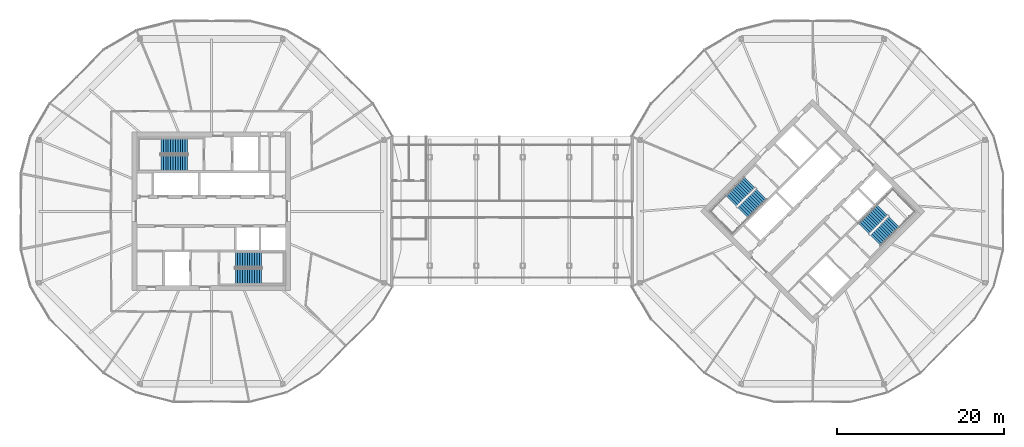
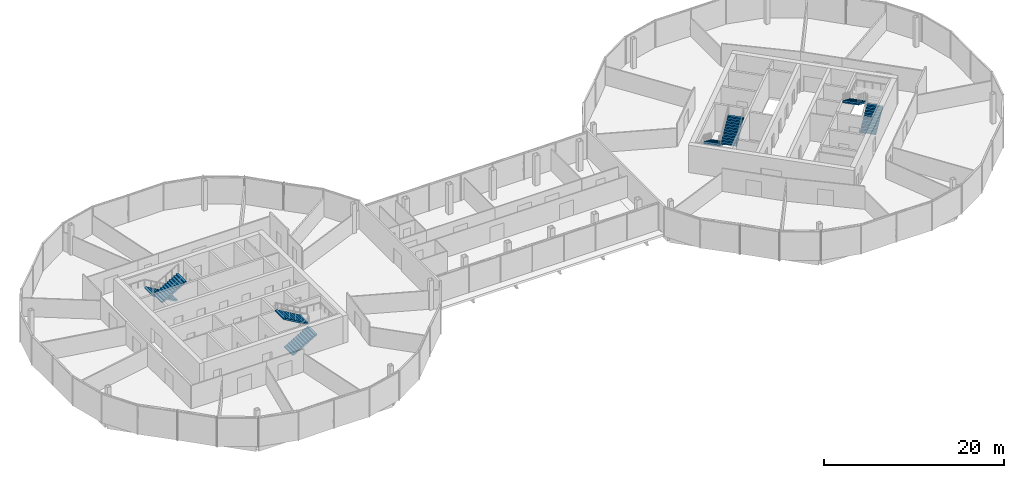
# One storey, part 24 of 25: 8 stair flights, 4 elements without a shape of their own.
"""IFC4 building model written with IfcOpenShell, lengths in metres."""

from ifc_helpers import new_model, si_unit, direction, frame, origin, place, context, subcontext, project, spatial, polyline, outline, extrude, material, type_object, element, aggregate, save


model = new_model("IFC4")

# Units and contexts
model_context = context("Model", 3, precision=1e-05, world=origin(), true_north=direction((0.0, 1.0)))
body_context = subcontext(model_context, "Body", "Model", "MODEL_VIEW")
ifc_project = project(units=[si_unit("LENGTHUNIT", "METRE"), si_unit("AREAUNIT", "SQUARE_METRE"), si_unit("VOLUMEUNIT", "CUBIC_METRE"), si_unit("PLANEANGLEUNIT", "RADIAN"), si_unit("MASSUNIT", "GRAM", prefix="KILO")], contexts=[model_context])

# Site, building, storey
site_placement = place(None, origin())
site = spatial("IfcSite", under=ifc_project, at=site_placement, CompositionType="ELEMENT")
building_placement = place(site_placement, origin())
building = spatial("IfcBuilding", under=site, at=building_placement, Name="Ogive Gate Towers", CompositionType="ELEMENT")
storey_placement = place(building_placement, frame((0.0, 0.0, 140.800048828125)))
storey = spatial("IfcBuildingStorey", under=building, at=storey_placement, Name="L33", CompositionType="ELEMENT", Elevation=140.800048828125)

# Stair, stair flights
ifc_material = material(Name="Concrete C40/50", Category="concrete")
stair_type = type_object("IfcStairType", Name="Escape stair 1840 wide", PredefinedType="HALF_TURN_STAIR", material=ifc_material)
stair_1_placement = place(storey_placement, origin())
stair_1 = element("IfcStair", 1, at=stair_1_placement, inside=storey, type_object=stair_type, Name="L33 Escape stair 1", PredefinedType="HALF_TURN_STAIR")
stair_flight_type = type_object("IfcStairFlightType", Name="Stair flight 1840 wide", PredefinedType="STRAIGHT", material=ifc_material)
stair_flight_1_placement = place(storey_placement, frame((-38.864990234375, 7.780029296875, 0.0), z_axis=(0.0, 0.0, 1.0), x_axis=(-1.0, 0.0, 0.0)))
stair_flight_1 = element("IfcStairFlight", 2, at=stair_flight_1_placement, type_object=stair_flight_type, Name="ST1 flight 1", NumberOfRisers=12, NumberOfTreads=11, PredefinedType="STRAIGHT", RiserHeight=0.166666667, TreadLength=0.2875, context=body_context, shape_type="SweptSolid", body=[
    extrude(outline(polyline([(0.0, 0.0), (0.0, 0.166748046875), (0.28759765625, 0.166748046875), (0.28759765625, 0.333251953125), (0.574951171875, 0.333251953125), (0.574951171875, 0.5), (0.862548828125, 0.5), (0.862548828125, 0.666748046875), (1.14990234375, 0.666748046875), (1.14990234375, 0.833251953125), (1.4375, 0.833251953125), (1.4375, 1.0), (1.72509765625, 1.0), (1.72509765625, 1.166748046875), (2.012451171875, 1.166748046875), (2.012451171875, 1.333251953125), (2.300048828125, 1.333251953125), (2.300048828125, 1.5), (2.58740234375, 1.5), (2.58740234375, 1.666748046875), (2.875, 1.666748046875), (2.875, 1.833251953125), (3.16259765625, 1.833251953125), (3.16259765625, 2.0), (3.16259765625, 1.66015625), (0.298828125, 0.0), (0.0, 0.0)])), frame((0.0, 0.919921875, 0.0), z_axis=(0.0, -1.0, 0.0), x_axis=(1.0, 0.0, 0.0)), (0.0, 0.0, 1.0), 1.840087890625),
])
stair_flight_2_placement = place(storey_placement, frame((-42.027587890625, 5.794921875, 2.0), z_axis=(0.0, 0.0, 1.0), x_axis=(1.0, 0.0, 0.0)))
stair_flight_2 = element("IfcStairFlight", 3, at=stair_flight_2_placement, type_object=stair_flight_type, Name="ST1 flight 2", NumberOfRisers=12, NumberOfTreads=11, PredefinedType="STRAIGHT", RiserHeight=0.166666667, TreadLength=0.2875, context=body_context, shape_type="SweptSolid", body=[
    extrude(outline(polyline([(0.0, 0.0), (0.0, 0.166748046875), (0.28759765625, 0.166748046875), (0.28759765625, 0.333251953125), (0.574951171875, 0.333251953125), (0.574951171875, 0.5), (0.862548828125, 0.5), (0.862548828125, 0.666748046875), (1.14990234375, 0.666748046875), (1.14990234375, 0.833251953125), (1.4375, 0.833251953125), (1.4375, 1.0), (1.72509765625, 1.0), (1.72509765625, 1.166748046875), (2.012451171875, 1.166748046875), (2.012451171875, 1.333251953125), (2.300048828125, 1.333251953125), (2.300048828125, 1.5), (2.58740234375, 1.5), (2.58740234375, 1.666748046875), (2.875, 1.666748046875), (2.875, 1.833251953125), (3.16259765625, 1.833251953125), (3.16259765625, 2.0), (3.16259765625, 1.66015625), (0.298828125, 0.0), (0.0, 0.0)])), frame((0.0, 0.919921875, 0.0), z_axis=(0.0, -1.0, 0.0), x_axis=(1.0, 0.0, 0.0)), (0.0, 0.0, 1.0), 1.840087890625),
])
aggregate(stair_1, [stair_flight_1, stair_flight_2])

stair_2_placement = place(storey_placement, origin())
stair_2 = element("IfcStair", 4, at=stair_2_placement, inside=storey, type_object=stair_type, Name="L33 Escape stair 2", PredefinedType="HALF_TURN_STAIR")
stair_flight_3_placement = place(storey_placement, frame((-33.135009765625, -7.780029296875, 0.0), z_axis=(0.0, 0.0, 1.0), x_axis=(1.0, 0.0, 0.0)))
stair_flight_3 = element("IfcStairFlight", 5, at=stair_flight_3_placement, type_object=stair_flight_type, Name="ST2 flight 1", NumberOfRisers=12, NumberOfTreads=11, PredefinedType="STRAIGHT", RiserHeight=0.166666667, TreadLength=0.2875, context=body_context, shape_type="SweptSolid", body=[
    extrude(outline(polyline([(0.0, 0.0), (0.0, 0.166748046875), (0.28759765625, 0.166748046875), (0.28759765625, 0.333251953125), (0.574951171875, 0.333251953125), (0.574951171875, 0.5), (0.862548828125, 0.5), (0.862548828125, 0.666748046875), (1.14990234375, 0.666748046875), (1.14990234375, 0.833251953125), (1.4375, 0.833251953125), (1.4375, 1.0), (1.72509765625, 1.0), (1.72509765625, 1.166748046875), (2.012451171875, 1.166748046875), (2.012451171875, 1.333251953125), (2.300048828125, 1.333251953125), (2.300048828125, 1.5), (2.58740234375, 1.5), (2.58740234375, 1.666748046875), (2.875, 1.666748046875), (2.875, 1.833251953125), (3.16259765625, 1.833251953125), (3.16259765625, 2.0), (3.16259765625, 1.66015625), (0.298828125, 0.0), (0.0, 0.0)])), frame((0.0, 0.919921875, 0.0), z_axis=(0.0, -1.0, 0.0), x_axis=(1.0, 0.0, 0.0)), (0.0, 0.0, 1.0), 1.840087890625),
])
stair_flight_4_placement = place(storey_placement, frame((-29.972412109375, -5.794921875, 2.0), z_axis=(0.0, 0.0, 1.0), x_axis=(-1.0, 0.0, 0.0)))
stair_flight_4 = element("IfcStairFlight", 6, at=stair_flight_4_placement, type_object=stair_flight_type, Name="ST2 flight 2", NumberOfRisers=12, NumberOfTreads=11, PredefinedType="STRAIGHT", RiserHeight=0.166666667, TreadLength=0.2875, context=body_context, shape_type="SweptSolid", body=[
    extrude(outline(polyline([(0.0, 0.0), (0.0, 0.166748046875), (0.28759765625, 0.166748046875), (0.28759765625, 0.333251953125), (0.574951171875, 0.333251953125), (0.574951171875, 0.5), (0.862548828125, 0.5), (0.862548828125, 0.666748046875), (1.14990234375, 0.666748046875), (1.14990234375, 0.833251953125), (1.4375, 0.833251953125), (1.4375, 1.0), (1.72509765625, 1.0), (1.72509765625, 1.166748046875), (2.012451171875, 1.166748046875), (2.012451171875, 1.333251953125), (2.300048828125, 1.333251953125), (2.300048828125, 1.5), (2.58740234375, 1.5), (2.58740234375, 1.666748046875), (2.875, 1.666748046875), (2.875, 1.833251953125), (3.16259765625, 1.833251953125), (3.16259765625, 2.0), (3.16259765625, 1.66015625), (0.298828125, 0.0), (0.0, 0.0)])), frame((0.0, 0.919921875, 0.0), z_axis=(0.0, -1.0, 0.0), x_axis=(1.0, 0.0, 0.0)), (0.0, 0.0, 1.0), 1.840087890625),
])
aggregate(stair_2, [stair_flight_3, stair_flight_4])

stair_3_placement = place(storey_placement, origin())
stair_3 = element("IfcStair", 7, at=stair_3_placement, inside=storey, type_object=stair_type, Name="L33 Escape stair 1", PredefinedType="HALF_TURN_STAIR")
stair_flight_5_placement = place(storey_placement, frame((28.472900390625, 3.475341796875, 0.0), z_axis=(0.0, 0.0, 1.0), x_axis=(-0.707106781187, -0.707106781187, 0.0)))
stair_flight_5 = element("IfcStairFlight", 8, at=stair_flight_5_placement, type_object=stair_flight_type, Name="ST1 flight 1", NumberOfRisers=12, NumberOfTreads=11, PredefinedType="STRAIGHT", RiserHeight=0.166666667, TreadLength=0.2875, context=body_context, shape_type="SweptSolid", body=[
    extrude(outline(polyline([(0.0, 0.0), (0.0, 0.166748046875), (0.28759765625, 0.166748046875), (0.28759765625, 0.333251953125), (0.574951171875, 0.333251953125), (0.574951171875, 0.5), (0.862548828125, 0.5), (0.862548828125, 0.666748046875), (1.14990234375, 0.666748046875), (1.14990234375, 0.833251953125), (1.4375, 0.833251953125), (1.4375, 1.0), (1.72509765625, 1.0), (1.72509765625, 1.166748046875), (2.012451171875, 1.166748046875), (2.012451171875, 1.333251953125), (2.300048828125, 1.333251953125), (2.300048828125, 1.5), (2.58740234375, 1.5), (2.58740234375, 1.666748046875), (2.875, 1.666748046875), (2.875, 1.833251953125), (3.16259765625, 1.833251953125), (3.16259765625, 2.0), (3.16259765625, 1.66015625), (0.298828125, 0.0), (0.0, 0.0)])), frame((0.0, 0.919921875, 0.0), z_axis=(0.0, -1.0, 0.0), x_axis=(1.0, 0.0, 0.0)), (0.0, 0.0, 1.0), 1.840087890625),
])
stair_flight_6_placement = place(storey_placement, frame((27.64013671875, -0.164306640625, 2.0), z_axis=(0.0, 0.0, 1.0), x_axis=(0.707106781187, 0.707106781187, 0.0)))
stair_flight_6 = element("IfcStairFlight", 9, at=stair_flight_6_placement, type_object=stair_flight_type, Name="ST1 flight 2", NumberOfRisers=12, NumberOfTreads=11, PredefinedType="STRAIGHT", RiserHeight=0.166666667, TreadLength=0.2875, context=body_context, shape_type="SweptSolid", body=[
    extrude(outline(polyline([(0.0, 0.0), (0.0, 0.166748046875), (0.28759765625, 0.166748046875), (0.28759765625, 0.333251953125), (0.574951171875, 0.333251953125), (0.574951171875, 0.5), (0.862548828125, 0.5), (0.862548828125, 0.666748046875), (1.14990234375, 0.666748046875), (1.14990234375, 0.833251953125), (1.4375, 0.833251953125), (1.4375, 1.0), (1.72509765625, 1.0), (1.72509765625, 1.166748046875), (2.012451171875, 1.166748046875), (2.012451171875, 1.333251953125), (2.300048828125, 1.333251953125), (2.300048828125, 1.5), (2.58740234375, 1.5), (2.58740234375, 1.666748046875), (2.875, 1.666748046875), (2.875, 1.833251953125), (3.16259765625, 1.833251953125), (3.16259765625, 2.0), (3.16259765625, 1.66015625), (0.298828125, 0.0), (0.0, 0.0)])), frame((0.0, 0.919921875, 0.0), z_axis=(0.0, -1.0, 0.0), x_axis=(1.0, 0.0, 0.0)), (0.0, 0.0, 1.0), 1.840087890625),
])
aggregate(stair_3, [stair_flight_5, stair_flight_6])

stair_4_placement = place(storey_placement, origin())
stair_4 = element("IfcStair", 10, at=stair_4_placement, inside=storey, type_object=stair_type, Name="L33 Escape stair 2", PredefinedType="HALF_TURN_STAIR")
stair_flight_7_placement = place(storey_placement, frame((43.527099609375, -3.475341796875, 0.0), z_axis=(0.0, 0.0, 1.0), x_axis=(0.707106781187, 0.707106781187, 0.0)))
stair_flight_7 = element("IfcStairFlight", 11, at=stair_flight_7_placement, type_object=stair_flight_type, Name="ST2 flight 1", NumberOfRisers=12, NumberOfTreads=11, PredefinedType="STRAIGHT", RiserHeight=0.166666667, TreadLength=0.2875, context=body_context, shape_type="SweptSolid", body=[
    extrude(outline(polyline([(0.0, 0.0), (0.0, 0.166748046875), (0.28759765625, 0.166748046875), (0.28759765625, 0.333251953125), (0.574951171875, 0.333251953125), (0.574951171875, 0.5), (0.862548828125, 0.5), (0.862548828125, 0.666748046875), (1.14990234375, 0.666748046875), (1.14990234375, 0.833251953125), (1.4375, 0.833251953125), (1.4375, 1.0), (1.72509765625, 1.0), (1.72509765625, 1.166748046875), (2.012451171875, 1.166748046875), (2.012451171875, 1.333251953125), (2.300048828125, 1.333251953125), (2.300048828125, 1.5), (2.58740234375, 1.5), (2.58740234375, 1.666748046875), (2.875, 1.666748046875), (2.875, 1.833251953125), (3.16259765625, 1.833251953125), (3.16259765625, 2.0), (3.16259765625, 1.66015625), (0.298828125, 0.0), (0.0, 0.0)])), frame((0.0, 0.919921875, 0.0), z_axis=(0.0, -1.0, 0.0), x_axis=(1.0, 0.0, 0.0)), (0.0, 0.0, 1.0), 1.840087890625),
])
stair_flight_8_placement = place(storey_placement, frame((44.35986328125, 0.164306640625, 2.0), z_axis=(0.0, 0.0, 1.0), x_axis=(-0.707106781187, -0.707106781187, 0.0)))
stair_flight_8 = element("IfcStairFlight", 12, at=stair_flight_8_placement, type_object=stair_flight_type, Name="ST2 flight 2", NumberOfRisers=12, NumberOfTreads=11, PredefinedType="STRAIGHT", RiserHeight=0.166666667, TreadLength=0.2875, context=body_context, shape_type="SweptSolid", body=[
    extrude(outline(polyline([(0.0, 0.0), (0.0, 0.166748046875), (0.28759765625, 0.166748046875), (0.28759765625, 0.333251953125), (0.574951171875, 0.333251953125), (0.574951171875, 0.5), (0.862548828125, 0.5), (0.862548828125, 0.666748046875), (1.14990234375, 0.666748046875), (1.14990234375, 0.833251953125), (1.4375, 0.833251953125), (1.4375, 1.0), (1.72509765625, 1.0), (1.72509765625, 1.166748046875), (2.012451171875, 1.166748046875), (2.012451171875, 1.333251953125), (2.300048828125, 1.333251953125), (2.300048828125, 1.5), (2.58740234375, 1.5), (2.58740234375, 1.666748046875), (2.875, 1.666748046875), (2.875, 1.833251953125), (3.16259765625, 1.833251953125), (3.16259765625, 2.0), (3.16259765625, 1.66015625), (0.298828125, 0.0), (0.0, 0.0)])), frame((0.0, 0.919921875, 0.0), z_axis=(0.0, -1.0, 0.0), x_axis=(1.0, 0.0, 0.0)), (0.0, 0.0, 1.0), 1.840087890625),
])
aggregate(stair_4, [stair_flight_7, stair_flight_8])

save(model, "model.ifc")
